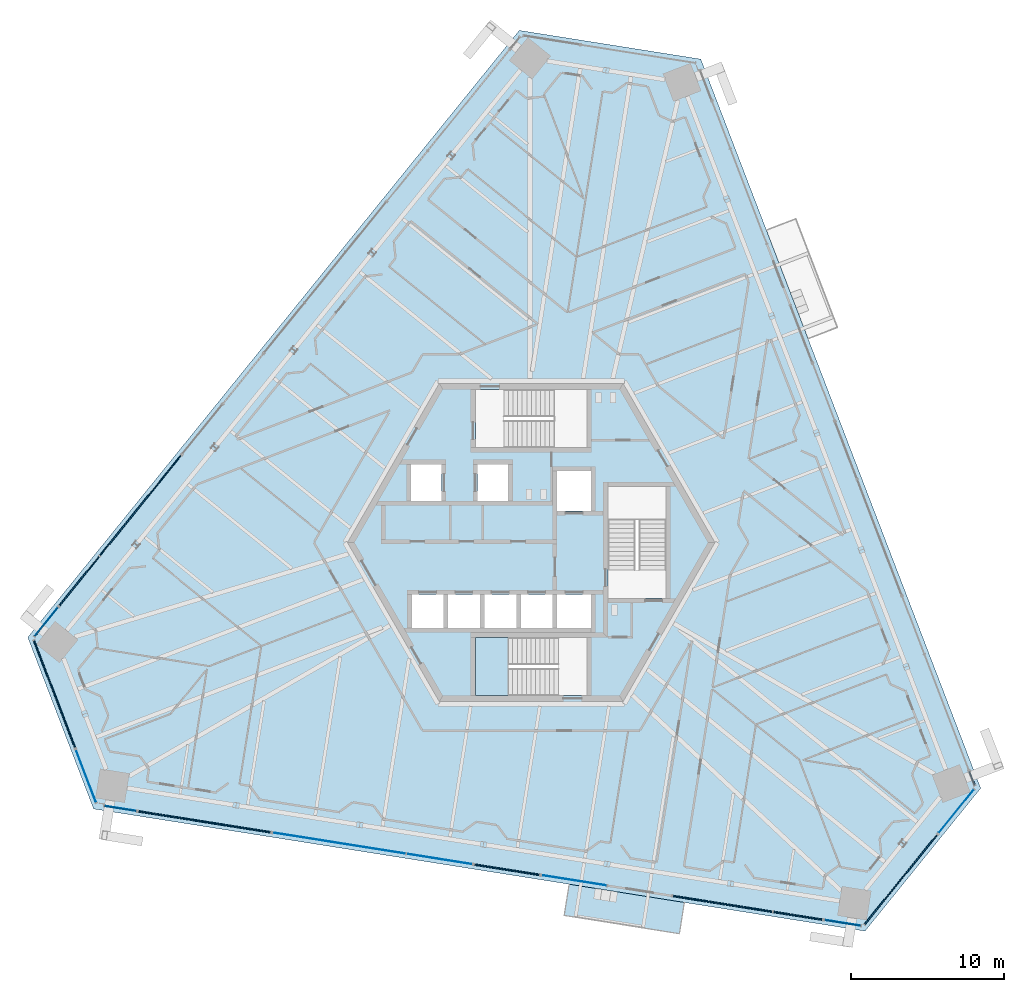
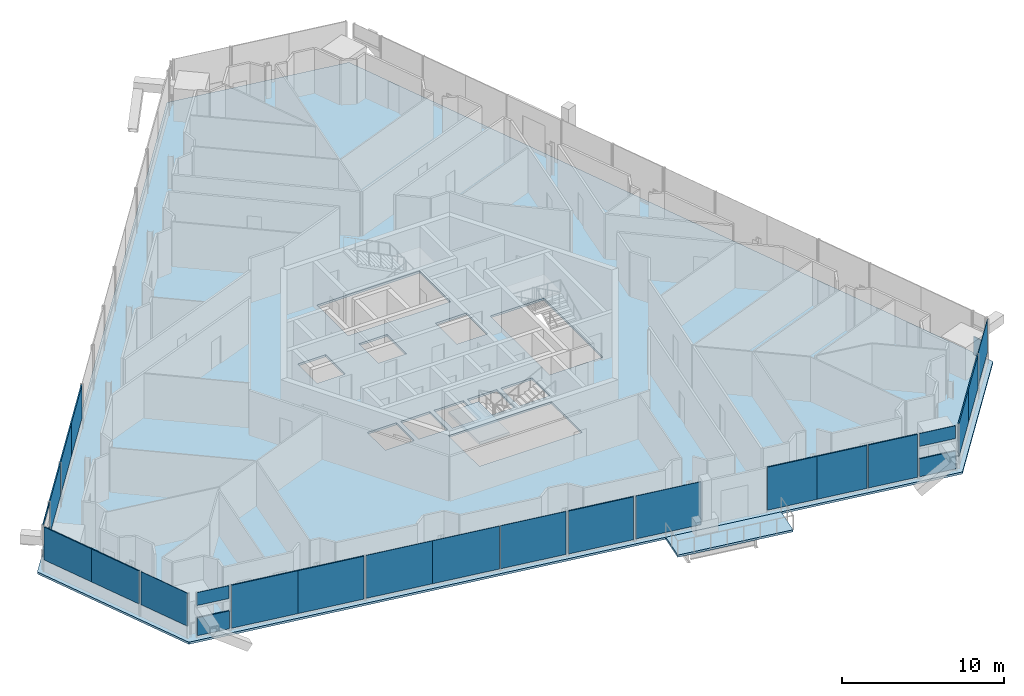
# One storey, part 10 of 23: 26 plates, 3 slabs, 18 elements without a shape of their own.
"""IFC4 building model written with IfcOpenShell, lengths in metres."""

from ifc_helpers import new_model, si_unit, direction, frame, origin, origin_2d, place, context, subcontext, project, spatial, polyline, rectangle, outline, extrude, source, transform, mapped, material, layer, layer_set, type_object, element, aggregate, save


model = new_model("IFC4")

# Units and contexts
model_context = context("Model", 3, precision=1e-05, world=origin(), true_north=direction((0.0, 1.0)))
body_context = subcontext(model_context, "Body", "Model", "MODEL_VIEW")
ifc_project = project(units=[si_unit("LENGTHUNIT", "METRE"), si_unit("AREAUNIT", "SQUARE_METRE"), si_unit("VOLUMEUNIT", "CUBIC_METRE"), si_unit("PLANEANGLEUNIT", "RADIAN"), si_unit("MASSUNIT", "GRAM", prefix="KILO")], contexts=[model_context])

# Site, building, storey
site_placement = place(None, origin())
site = spatial("IfcSite", under=ifc_project, at=site_placement, CompositionType="ELEMENT")
building_placement = place(site_placement, origin())
building = spatial("IfcBuilding", under=site, at=building_placement, Name="Triune Harvest Tower", CompositionType="ELEMENT")
storey_placement = place(building_placement, frame((0.0, 0.0, 171.300048828125)))
storey = spatial("IfcBuildingStorey", under=building, at=storey_placement, Name="L44", CompositionType="ELEMENT", Elevation=171.300048828125)

# Slab
ifc_material_1 = material(Name="Concrete 40 MPa", Category="concrete")
ifc_layer_1 = layer(ifc_material_1, 0.159912109375)
ifc_layer_set_1 = layer_set([ifc_layer_1], Name="Concrete 40 MPa")
slab_type_1 = type_object("IfcSlabType", Name="BA-1 balcony slab 160", PredefinedType="FLOOR", material=ifc_layer_set_1)
slab_1_placement = place(storey_placement, frame((0.0, 0.0, -0.16015625)))
element("IfcSlab", 1, at=slab_1_placement, inside=storey, type_object=slab_type_1, Name="Balcony slab B4-F5 L44.9", PredefinedType="FLOOR", context=body_context, shape_type="SweptSolid", body=[
    extrude(outline(polyline([(2.478515625, -22.31298828125), (9.9990234375, -23.504150390625), (9.676513671875, -25.540283203125), (2.15625, -24.34912109375), (2.478515625, -22.31298828125)])), origin(), (0.0, 0.0, 1.0), 0.16015625),
])

# Curtain wall, plate
ifc_material_2 = material(Name="Aluminium bronze anodised", Category="aluminium")
curtain_wall_type_1 = type_object("IfcCurtainWallType", Name="CW-1 Tower stick curtain wall", PredefinedType="NOTDEFINED", material=ifc_material_2)
curtain_wall_1_placement = place(storey_placement, origin())
curtain_wall_1 = element("IfcCurtainWall", 2, at=curtain_wall_1_placement, inside=storey, type_object=curtain_wall_type_1, Name="CW-1 B4-F3 L44 run 401")
ifc_material_3 = material(Name="Glass", Category="glass")
ifc_layer_2 = layer(ifc_material_3, 0.031982421875)
ifc_layer_set_2 = layer_set([ifc_layer_2], Name="Glass")
plate_type_1 = type_object("IfcPlateType", Name="GL-1 panel 32", PredefinedType="CURTAIN_PANEL", material=ifc_layer_set_2)
plate_1_placement = place(storey_placement, frame((-31.669189453125, -5.181640625, 3.15966796875), z_axis=(0.0, 0.0, 1.0), x_axis=(-0.629324082026, -0.777142972549, 0.0)))
plate_1 = element("IfcPlate", 3, at=plate_1_placement, type_object=plate_type_1, Name="CW-1 panel B4-F3 401.1", PredefinedType="CURTAIN_PANEL", context=body_context, shape_type="SweptSolid", body=[
    extrude(rectangle(XDim=2.409912109375, YDim=0.031982421875, at=origin_2d()), origin(), (0.0, 0.0, 1.0), 0.215087890625),
])
aggregate(curtain_wall_1, [plate_1])

ifc_material_4 = material(Name="Aluminium bronze anodised", Category="aluminium")
curtain_wall_type_2 = type_object("IfcCurtainWallType", Name="CW-6 Balcony window wall", PredefinedType="NOTDEFINED", material=ifc_material_4)
curtain_wall_2_placement = place(storey_placement, origin())
curtain_wall_2 = element("IfcCurtainWall", 4, at=curtain_wall_2_placement, inside=storey, type_object=curtain_wall_type_2, Name="CW-6 B4-F5 L44 run 101")
ifc_material_5 = material(Name="Glass", Category="glass")
ifc_layer_3 = layer(ifc_material_5, 0.030029296875)
ifc_layer_set_3 = layer_set([ifc_layer_3], Name="Glass")
plate_type_2 = type_object("IfcPlateType", Name="GL-6 panel 30", PredefinedType="CURTAIN_PANEL", material=ifc_layer_set_3)
plate_2_placement = place(storey_placement, frame((-26.83154296875, -17.366943359375, 2.40966796875), z_axis=(0.0, 0.0, 1.0), x_axis=(0.987690820159, -0.156418808887, 0.0)))
plate_2 = element("IfcPlate", 5, at=plate_2_placement, type_object=plate_type_2, Name="CW-6 panel B4-F5 101.1", PredefinedType="CURTAIN_PANEL", context=body_context, shape_type="SweptSolid", body=[
    extrude(rectangle(XDim=2.10107421875, YDim=0.030029296875, at=origin_2d()), origin(), (0.0, 0.0, 1.0), 0.965087890625),
])
aggregate(curtain_wall_2, [plate_2])

# Curtain wall, plates
curtain_wall_3_placement = place(storey_placement, origin())
curtain_wall_3 = element("IfcCurtainWall", 6, at=curtain_wall_3_placement, inside=storey, type_object=curtain_wall_type_2, Name="CW-6 B4-F5 L44 run 1201")
plate_3_placement = place(storey_placement, frame((-14.712158203125, -19.28662109375, 0.14990234375), z_axis=(0.0, 0.0, 1.0), x_axis=(0.987687358955, -0.156440662747, 0.0)))
plate_3 = element("IfcPlate", 7, at=plate_3_placement, type_object=plate_type_2, Name="CW-6 panel B4-F5 1201.1", PredefinedType="CURTAIN_PANEL", context=body_context, shape_type="SweptSolid", body=[
    extrude(rectangle(XDim=4.367919921875, YDim=0.030029296875, at=origin_2d()), origin(), (0.0, 0.0, 1.0), 3.22509765625),
])
plate_4_placement = place(storey_placement, frame((-10.37939453125, -19.972900390625, 0.14990234375), z_axis=(0.0, 0.0, 1.0), x_axis=(0.987687358955, -0.156440662747, 0.0)))
plate_4 = element("IfcPlate", 8, at=plate_4_placement, type_object=plate_type_2, Name="CW-6 panel B4-F5 1201.2", PredefinedType="CURTAIN_PANEL", context=body_context, shape_type="SweptSolid", body=[
    extrude(rectangle(XDim=4.405517578125, YDim=0.030029296875, at=origin_2d()), origin(), (0.0, 0.0, 1.0), 3.22509765625),
])
plate_5_placement = place(storey_placement, frame((-5.990966796875, -20.66796875, 0.14990234375), z_axis=(0.0, 0.0, 1.0), x_axis=(0.987687358955, -0.156440662747, 0.0)))
plate_5 = element("IfcPlate", 9, at=plate_5_placement, type_object=plate_type_2, Name="CW-6 panel B4-F5 1201.3", PredefinedType="CURTAIN_PANEL", context=body_context, shape_type="SweptSolid", body=[
    extrude(rectangle(XDim=4.33056640625, YDim=0.030029296875, at=origin_2d()), origin(), (0.0, 0.0, 1.0), 3.22509765625),
])
aggregate(curtain_wall_3, [plate_3, plate_4, plate_5])

# Curtain wall, plate
curtain_wall_4_placement = place(storey_placement, origin())
curtain_wall_4 = element("IfcCurtainWall", 10, at=curtain_wall_4_placement, inside=storey, type_object=curtain_wall_type_2, Name="CW-6 B4-F5 L44 run 3201")
plate_6_placement = place(storey_placement, frame((2.80419921875, -22.06103515625, 0.14990234375), z_axis=(0.0, 0.0, 1.0), x_axis=(0.987686199696, -0.156447981545, 0.0)))
plate_6 = element("IfcPlate", 11, at=plate_6_placement, type_object=plate_type_2, Name="CW-6 panel B4-F5 3201.1", PredefinedType="CURTAIN_PANEL", context=body_context, shape_type="SweptSolid", body=[
    extrude(rectangle(XDim=4.29296875, YDim=0.030029296875, at=origin_2d()), origin(), (0.0, 0.0, 1.0), 3.22509765625),
])
aggregate(curtain_wall_4, [plate_6])

curtain_wall_5_placement = place(storey_placement, origin())
curtain_wall_5 = element("IfcCurtainWall", 12, at=curtain_wall_5_placement, inside=storey, type_object=curtain_wall_type_2, Name="CW-6 B4-F5 L44 run 202")
plate_7_placement = place(storey_placement, frame((20.3359375, -24.837646484375, 2.40966796875), z_axis=(0.0, 0.0, 1.0), x_axis=(0.98768789976, -0.156437248337, 0.0)))
plate_7 = element("IfcPlate", 13, at=plate_7_placement, type_object=plate_type_2, Name="CW-6 panel B4-F5 202.1", PredefinedType="CURTAIN_PANEL", context=body_context, shape_type="SweptSolid", body=[
    extrude(rectangle(XDim=2.38134765625, YDim=0.030029296875, at=origin_2d()), origin(), (0.0, 0.0, 1.0), 0.965087890625),
])
aggregate(curtain_wall_5, [plate_7])

ifc_material_6 = material(Name="Aluminium bronze anodised", Category="aluminium")
curtain_wall_type_3 = type_object("IfcCurtainWallType", Name="CW-10 Balcony window wall with insulated spandrel infill", PredefinedType="NOTDEFINED", material=ifc_material_6)
curtain_wall_6_placement = place(storey_placement, origin())
curtain_wall_6 = element("IfcCurtainWall", 14, at=curtain_wall_6_placement, inside=storey, type_object=curtain_wall_type_3, Name="CW-10 B4-F1 L44 run 1")
ifc_material_7 = material(Name="Insulated spandrel panel, bronze aluminium pan", Category="aluminium")
ifc_layer_4 = layer(ifc_material_7, 0.080078125)
ifc_layer_set_4 = layer_set([ifc_layer_4], Name="Insulated spandrel panel, bronze aluminium pan")
plate_type_3 = type_object("IfcPlateType", Name="SP-1 insulated spandrel panel 80", PredefinedType="CURTAIN_PANEL", material=ifc_layer_set_4)
plate_8_placement = place(storey_placement, frame((28.780029296875, -15.397216796875, 0.14990234375), z_axis=(0.0, 0.0, 1.0), x_axis=(-0.358306943376, 0.933603842285, 0.0)))
plate_8 = element("IfcPlate", 15, at=plate_8_placement, type_object=plate_type_3, Name="CW-10 panel B4-F1 1.1", PredefinedType="CURTAIN_PANEL", context=body_context, shape_type="SweptSolid", body=[
    extrude(rectangle(XDim=0.94677734375, YDim=0.080078125, at=origin_2d()), origin(), (0.0, 0.0, 1.0), 1.340087890625),
])
aggregate(curtain_wall_6, [plate_8])

ifc_material_8 = material(Name="Aluminium bronze anodised", Category="aluminium")
curtain_wall_type_4 = type_object("IfcCurtainWallType", Name="CW-7 Tower stick curtain wall with insulated spandrel infill", PredefinedType="NOTDEFINED", material=ifc_material_8)
curtain_wall_7_placement = place(storey_placement, origin())
curtain_wall_7 = element("IfcCurtainWall", 16, at=curtain_wall_7_placement, inside=storey, type_object=curtain_wall_type_4, Name="CW-7 B4-F3 L44 run 301")
plate_9_placement = place(storey_placement, frame((-31.669189453125, -5.181640625, 0.89990234375), z_axis=(0.0, 0.0, 1.0), x_axis=(-0.629324082026, -0.777142972549, 0.0)))
plate_9 = element("IfcPlate", 17, at=plate_9_placement, type_object=plate_type_3, Name="CW-7 panel B4-F3 301.1", PredefinedType="CURTAIN_PANEL", context=body_context, shape_type="SweptSolid", body=[
    extrude(rectangle(XDim=2.409912109375, YDim=0.080078125, at=origin_2d()), origin(), (0.0, 0.0, 1.0), 0.590087890625),
])
aggregate(curtain_wall_7, [plate_9])

curtain_wall_8_placement = place(storey_placement, origin())
curtain_wall_8 = element("IfcCurtainWall", 18, at=curtain_wall_8_placement, inside=storey, type_object=curtain_wall_type_3, Name="CW-10 B4-F5 L44 run 1")
plate_10_placement = place(storey_placement, frame((-26.83154296875, -17.366943359375, 0.14990234375), z_axis=(0.0, 0.0, 1.0), x_axis=(0.987690820159, -0.156418808887, 0.0)))
plate_10 = element("IfcPlate", 19, at=plate_10_placement, type_object=plate_type_3, Name="CW-10 panel B4-F5 1.1", PredefinedType="CURTAIN_PANEL", context=body_context, shape_type="SweptSolid", body=[
    extrude(rectangle(XDim=2.10107421875, YDim=0.080078125, at=origin_2d()), origin(), (0.0, 0.0, 1.0), 1.340087890625),
])
aggregate(curtain_wall_8, [plate_10])

curtain_wall_9_placement = place(storey_placement, origin())
curtain_wall_9 = element("IfcCurtainWall", 20, at=curtain_wall_9_placement, inside=storey, type_object=curtain_wall_type_3, Name="CW-10 B4-F5 L44 run 2201")
plate_11_placement = place(storey_placement, frame((-1.584228515625, -21.365966796875, 0.14990234375), z_axis=(0.0, 0.0, 1.0), x_axis=(0.987690228037, -0.156422547734, 0.0)))
plate_11 = element("IfcPlate", 21, at=plate_11_placement, type_object=plate_type_3, Name="CW-10 panel B4-F5 2201.1", PredefinedType="CURTAIN_PANEL", context=body_context, shape_type="SweptSolid", body=[
    extrude(rectangle(XDim=4.293212890625, YDim=0.080078125, at=origin_2d()), origin(), (0.0, 0.0, 1.0), 3.22509765625),
])
aggregate(curtain_wall_9, [plate_11])

curtain_wall_10_placement = place(storey_placement, origin())
curtain_wall_10 = element("IfcCurtainWall", 22, at=curtain_wall_10_placement, inside=storey, type_object=curtain_wall_type_3, Name="CW-10 B4-F5 L44 run 102")
plate_12_placement = place(storey_placement, frame((20.3359375, -24.837646484375, 0.14990234375), z_axis=(0.0, 0.0, 1.0), x_axis=(0.98768789976, -0.156437248337, 0.0)))
plate_12 = element("IfcPlate", 23, at=plate_12_placement, type_object=plate_type_3, Name="CW-10 panel B4-F5 102.1", PredefinedType="CURTAIN_PANEL", context=body_context, shape_type="SweptSolid", body=[
    extrude(rectangle(XDim=2.38134765625, YDim=0.080078125, at=origin_2d()), origin(), (0.0, 0.0, 1.0), 1.340087890625),
])
aggregate(curtain_wall_10, [plate_12])

# Slab
ifc_material_9 = material(Name="Concrete 40 MPa", Category="concrete")
ifc_layer_5 = layer(ifc_material_9, 0.159912109375)
ifc_layer_set_5 = layer_set([ifc_layer_5], Name="Concrete 40 MPa")
slab_type_2 = type_object("IfcSlabType", Name="SL-1 Composite floor slab 160", PredefinedType="FLOOR", material=ifc_layer_set_5)
shared_shape_1 = source(origin(), body_context, "Body", "SweptSolid", [
    extrude(outline(polyline([(29.35107421875, -16.04736328125), (11.07421875, 31.565185546875), (-0.778076171875, 33.4423828125), (-32.873291015625, -6.19189453125), (-28.572998046875, -17.39501953125), (21.799072265625, -25.373291015625), (29.35107421875, -16.04736328125)]), holes=[polyline([(-5.72509765625, -5.590087890625), (-5.72509765625, -3.389892578125), (-7.800048828125, -3.389892578125), (-7.800048828125, -5.590087890625), (-5.72509765625, -5.590087890625)]), polyline([(-3.35009765625, -5.590087890625), (-3.35009765625, -3.389892578125), (-5.425048828125, -3.389892578125), (-5.425048828125, -5.590087890625), (-3.35009765625, -5.590087890625)]), polyline([(-0.97509765625, -5.590087890625), (-0.97509765625, -3.389892578125), (-3.050048828125, -3.389892578125), (-3.050048828125, -5.590087890625), (-0.97509765625, -5.590087890625)]), polyline([(1.39990234375, -5.590087890625), (1.39990234375, -3.389892578125), (-0.675048828125, -3.389892578125), (-0.675048828125, -5.590087890625), (1.39990234375, -5.590087890625)]), polyline([(3.89990234375, 2.06005859375), (3.89990234375, 4.659912109375), (1.699951171875, 4.659912109375), (1.699951171875, 2.06005859375), (3.89990234375, 2.06005859375)]), polyline([(3.89990234375, -5.590087890625), (3.89990234375, -3.389892578125), (1.699951171875, -3.389892578125), (1.699951171875, -5.590087890625), (3.89990234375, -5.590087890625)]), polyline([(-5.85009765625, 2.7099609375), (-5.85009765625, 5.110107421875), (-7.85009765625, 5.110107421875), (-7.85009765625, 2.7099609375), (-5.85009765625, 2.7099609375)]), polyline([(-1.5, 2.7099609375), (-1.5, 5.110107421875), (-3.5, 5.110107421875), (-3.5, 2.7099609375), (-1.5, 2.7099609375)]), polyline([(3.64990234375, 6.18994140625), (3.64990234375, 9.989990234375), (-3.64990234375, 9.989990234375), (-3.64990234375, 6.18994140625), (3.64990234375, 6.18994140625)]), polyline([(3.64990234375, -9.989990234375), (3.64990234375, -6.18994140625), (-3.64990234375, -6.18994140625), (-3.64990234375, -9.989990234375), (3.64990234375, -9.989990234375)]), polyline([(8.800048828125, -3.64990234375), (8.800048828125, 3.64990234375), (5.0, 3.64990234375), (5.0, -3.64990234375), (8.800048828125, -3.64990234375)])]), origin(), (0.0, 0.0, 1.0), 0.16015625),
])
slab_2_placement = place(storey_placement, frame((0.0, 0.0, -0.16015625)))
element("IfcSlab", 24, at=slab_2_placement, inside=storey, type_object=slab_type_2, Name="slab/L44/1", PredefinedType="FLOOR", context=body_context, shape_type="MappedRepresentation", body=[
    mapped(shared_shape_1, transform((0.0, 0.0, 0.0), scale=1.0)),
])

# Stair, slab
ifc_material_10 = material(Name="Concrete 40 MPa", Category="concrete")
stair_type = type_object("IfcStairType", Name="Exit stair 1800 half turn", PredefinedType="HALF_TURN_STAIR", material=ifc_material_10)
stair_placement = place(storey_placement, origin())
stair = element("IfcStair", 25, at=stair_placement, inside=storey, type_object=stair_type, Name="Exit stair south", PredefinedType="HALF_TURN_STAIR")
ifc_material_11 = material(Name="Concrete 40 MPa", Category="concrete")
ifc_layer_6 = layer(ifc_material_11, 0.199951171875)
ifc_layer_set_6 = layer_set([ifc_layer_6], Name="Concrete 40 MPa")
slab_type_3 = type_object("IfcSlabType", Name="Stair landing 200", PredefinedType="LANDING", material=ifc_layer_set_6)
shared_shape_2 = source(origin(), body_context, "Body", "SweptSolid", [
    extrude(outline(polyline([(-1.510009765625, -6.18994140625), (-3.64990234375, -6.18994140625), (-3.64990234375, -9.989990234375), (-1.510009765625, -9.989990234375), (-1.510009765625, -6.18994140625)])), origin(), (0.0, 0.0, 1.0), 0.199951171875),
])
slab_3_placement = place(storey_placement, frame((0.0, 0.0, 1.612548828125)))
slab_3 = element("IfcSlab", 26, at=slab_3_placement, type_object=slab_type_3, Name="ST-2 landing 2", PredefinedType="LANDING", context=body_context, shape_type="MappedRepresentation", body=[
    mapped(shared_shape_2, transform((0.0, 0.0, 0.0), scale=1.0)),
])
aggregate(stair, [slab_3])

# Curtain wall, plates
curtain_wall_11_placement = place(storey_placement, origin())
curtain_wall_11 = element("IfcCurtainWall", 27, at=curtain_wall_11_placement, inside=storey, type_object=curtain_wall_type_3, Name="CW-10 B4-F5 L44 run 2")
shared_shape_3 = source(origin(), body_context, "Body", "SweptSolid", [
    extrude(rectangle(XDim=3.2724609375, YDim=0.080078125, at=origin_2d()), origin(), (0.0, 0.0, 1.0), 3.22509765625),
])
plate_13_placement = place(storey_placement, frame((10.857666015625, -23.33642578125, 0.14990234375), z_axis=(0.0, 0.0, 1.0), x_axis=(0.987688651902, -0.156432499516, 0.0)))
plate_13 = element("IfcPlate", 28, at=plate_13_placement, type_object=plate_type_3, Name="CW-10 panel B4-F5 2.1", PredefinedType="CURTAIN_PANEL", context=body_context, shape_type="MappedRepresentation", body=[
    mapped(shared_shape_3, transform((0.0, 0.0, 0.0), scale=1.0)),
])
shared_shape_4 = source(origin(), body_context, "Body", "SweptSolid", [
    extrude(rectangle(XDim=3.309814453125, YDim=0.080078125, at=origin_2d()), origin(), (0.0, 0.0, 1.0), 3.22509765625),
])
plate_14_placement = place(storey_placement, frame((14.108154296875, -23.851318359375, 0.14990234375), z_axis=(0.0, 0.0, 1.0), x_axis=(0.987688651902, -0.156432499516, 0.0)))
plate_14 = element("IfcPlate", 29, at=plate_14_placement, type_object=plate_type_3, Name="CW-10 panel B4-F5 2.2", PredefinedType="CURTAIN_PANEL", context=body_context, shape_type="MappedRepresentation", body=[
    mapped(shared_shape_4, transform((0.0, 0.0, 0.0), scale=1.0)),
])
shared_shape_5 = source(origin(), body_context, "Body", "SweptSolid", [
    extrude(rectangle(XDim=3.23486328125, YDim=0.080078125, at=origin_2d()), origin(), (0.0, 0.0, 1.0), 3.22509765625),
])
plate_15_placement = place(storey_placement, frame((17.414306640625, -24.375, 0.14990234375), z_axis=(0.0, 0.0, 1.0), x_axis=(0.987688651902, -0.156432499516, 0.0)))
plate_15 = element("IfcPlate", 30, at=plate_15_placement, type_object=plate_type_3, Name="CW-10 panel B4-F5 2.3", PredefinedType="CURTAIN_PANEL", context=body_context, shape_type="MappedRepresentation", body=[
    mapped(shared_shape_5, transform((0.0, 0.0, 0.0), scale=1.0)),
])
aggregate(curtain_wall_11, [plate_13, plate_14, plate_15])

curtain_wall_12_placement = place(storey_placement, origin())
curtain_wall_12 = element("IfcCurtainWall", 31, at=curtain_wall_12_placement, inside=storey, type_object=curtain_wall_type_4, Name="CW-7 B4-F4 L44 run 1")
shared_shape_6 = source(origin(), body_context, "Body", "SweptSolid", [
    extrude(rectangle(XDim=3.74951171875, YDim=0.080078125, at=origin_2d()), origin(), (0.0, 0.0, 1.0), 2.47509765625),
])
plate_16_placement = place(storey_placement, frame((-31.80029296875, -8.150390625, 0.89990234375), z_axis=(0.0, 0.0, 1.0), x_axis=(0.35836155285, -0.933582881933, 0.0)))
plate_16 = element("IfcPlate", 32, at=plate_16_placement, type_object=plate_type_3, Name="CW-7 panel B4-F4 1.1", PredefinedType="CURTAIN_PANEL", context=body_context, shape_type="MappedRepresentation", body=[
    mapped(shared_shape_6, transform((0.0, 0.0, 0.0), scale=1.0)),
])
plate_17_placement = place(storey_placement, frame((-30.45654296875, -11.651123046875, 0.89990234375), z_axis=(0.0, 0.0, 1.0), x_axis=(0.35836155285, -0.933582881933, 0.0)))
plate_17 = element("IfcPlate", 33, at=plate_17_placement, type_object=plate_type_3, Name="CW-7 panel B4-F4 1.2", PredefinedType="CURTAIN_PANEL", context=body_context, shape_type="MappedRepresentation", body=[
    mapped(shared_shape_6, transform((0.0, 0.0, 0.0), scale=1.0)),
])
aggregate(curtain_wall_12, [plate_16, plate_17])

curtain_wall_13_placement = place(storey_placement, origin())
curtain_wall_13 = element("IfcCurtainWall", 34, at=curtain_wall_13_placement, inside=storey, type_object=curtain_wall_type_4, Name="CW-7 B4-F6 L44 run 1")
plate_18_placement = place(storey_placement, frame((22.958740234375, -23.464599609375, 0.89990234375), z_axis=(0.0, 0.0, 1.0), x_axis=(0.629323141464, 0.777143734208, 0.0)))
plate_18 = element("IfcPlate", 35, at=plate_18_placement, type_object=plate_type_3, Name="CW-7 panel B4-F6 1.1", PredefinedType="CURTAIN_PANEL", context=body_context, shape_type="MappedRepresentation", body=[
    mapped(shared_shape_6, transform((0.0, 0.0, 0.0), scale=1.0)),
])
plate_19_placement = place(storey_placement, frame((25.318359375, -20.550537109375, 0.89990234375), z_axis=(0.0, 0.0, 1.0), x_axis=(0.629323141464, 0.777143734208, 0.0)))
plate_19 = element("IfcPlate", 36, at=plate_19_placement, type_object=plate_type_3, Name="CW-7 panel B4-F6 1.2", PredefinedType="CURTAIN_PANEL", context=body_context, shape_type="MappedRepresentation", body=[
    mapped(shared_shape_6, transform((0.0, 0.0, 0.0), scale=1.0)),
])
aggregate(curtain_wall_13, [plate_18, plate_19])

# Curtain wall, plate
curtain_wall_14_placement = place(storey_placement, origin())
curtain_wall_14 = element("IfcCurtainWall", 37, at=curtain_wall_14_placement, inside=storey, type_object=curtain_wall_type_1, Name="CW-1 B4-F4 L44 run 1001")
shared_shape_7 = source(origin(), body_context, "Body", "SweptSolid", [
    extrude(rectangle(XDim=3.674560546875, YDim=0.031982421875, at=origin_2d()), origin(), (0.0, 0.0, 1.0), 2.47509765625),
])
plate_20_placement = place(storey_placement, frame((-29.072509765625, -15.256591796875, 0.89990234375), z_axis=(0.0, 0.0, 1.0), x_axis=(0.358383624878, -0.93357440915, 0.0)))
plate_20 = element("IfcPlate", 38, at=plate_20_placement, type_object=plate_type_1, Name="CW-1 panel B4-F4 1001.1", PredefinedType="CURTAIN_PANEL", context=body_context, shape_type="MappedRepresentation", body=[
    mapped(shared_shape_7, transform((0.0, 0.0, 0.0), scale=1.0)),
])
aggregate(curtain_wall_14, [plate_20])

curtain_wall_15_placement = place(storey_placement, origin())
curtain_wall_15 = element("IfcCurtainWall", 39, at=curtain_wall_15_placement, inside=storey, type_object=curtain_wall_type_1, Name="CW-1 B4-F6 L44 run 1001")
plate_21_placement = place(storey_placement, frame((27.748779296875, -17.54931640625, 0.89990234375), z_axis=(0.0, 0.0, 1.0), x_axis=(0.629316433314, 0.777149166352, 0.0)))
plate_21 = element("IfcPlate", 40, at=plate_21_placement, type_object=plate_type_1, Name="CW-1 panel B4-F6 1001.1", PredefinedType="CURTAIN_PANEL", context=body_context, shape_type="MappedRepresentation", body=[
    mapped(shared_shape_7, transform((0.0, 0.0, 0.0), scale=1.0)),
])
aggregate(curtain_wall_15, [plate_21])

# Curtain wall, plates
curtain_wall_16_placement = place(storey_placement, origin())
curtain_wall_16 = element("IfcCurtainWall", 41, at=curtain_wall_16_placement, inside=storey, type_object=curtain_wall_type_4, Name="CW-7 B4-F3 L44 run 4201")
shared_shape_8 = source(origin(), body_context, "Body", "SweptSolid", [
    extrude(rectangle(XDim=4.18115234375, YDim=0.080078125, at=origin_2d()), origin(), (0.0, 0.0, 1.0), 2.47509765625),
])
plate_22_placement = place(storey_placement, frame((-24.191162109375, 4.052978515625, 0.89990234375), z_axis=(0.0, 0.0, 1.0), x_axis=(-0.629319208303, -0.777146919225, 0.0)))
plate_22 = element("IfcPlate", 42, at=plate_22_placement, type_object=plate_type_3, Name="CW-7 panel B4-F3 4201.1", PredefinedType="CURTAIN_PANEL", context=body_context, shape_type="MappedRepresentation", body=[
    mapped(shared_shape_8, transform((0.0, 0.0, 0.0), scale=1.0)),
])
shared_shape_9 = source(origin(), body_context, "Body", "SweptSolid", [
    extrude(rectangle(XDim=4.218505859375, YDim=0.080078125, at=origin_2d()), origin(), (0.0, 0.0, 1.0), 2.47509765625),
])
plate_23_placement = place(storey_placement, frame((-26.834228515625, 0.7890625, 0.89990234375), z_axis=(0.0, 0.0, 1.0), x_axis=(-0.629319208303, -0.777146919225, 0.0)))
plate_23 = element("IfcPlate", 43, at=plate_23_placement, type_object=plate_type_3, Name="CW-7 panel B4-F3 4201.2", PredefinedType="CURTAIN_PANEL", context=body_context, shape_type="MappedRepresentation", body=[
    mapped(shared_shape_9, transform((0.0, 0.0, 0.0), scale=1.0)),
])
shared_shape_10 = source(origin(), body_context, "Body", "SweptSolid", [
    extrude(rectangle(XDim=4.1435546875, YDim=0.080078125, at=origin_2d()), origin(), (0.0, 0.0, 1.0), 2.47509765625),
])
plate_24_placement = place(storey_placement, frame((-29.5126953125, -2.5185546875, 0.89990234375), z_axis=(0.0, 0.0, 1.0), x_axis=(-0.629319208303, -0.777146919225, 0.0)))
plate_24 = element("IfcPlate", 44, at=plate_24_placement, type_object=plate_type_3, Name="CW-7 panel B4-F3 4201.3", PredefinedType="CURTAIN_PANEL", context=body_context, shape_type="MappedRepresentation", body=[
    mapped(shared_shape_10, transform((0.0, 0.0, 0.0), scale=1.0)),
])
aggregate(curtain_wall_16, [plate_22, plate_23, plate_24])

curtain_wall_17_placement = place(storey_placement, origin())
curtain_wall_17 = element("IfcCurtainWall", 45, at=curtain_wall_17_placement, inside=storey, type_object=curtain_wall_type_3, Name="CW-10 B4-F5 L44 run 201")
shared_shape_11 = source(origin(), body_context, "Body", "SweptSolid", [
    extrude(rectangle(XDim=4.3681640625, YDim=0.080078125, at=origin_2d()), origin(), (0.0, 0.0, 1.0), 3.22509765625),
])
plate_25_placement = place(storey_placement, frame((-23.48876953125, -17.896484375, 0.14990234375), z_axis=(0.0, 0.0, 1.0), x_axis=(0.987688213966, -0.156435264541, 0.0)))
plate_25 = element("IfcPlate", 46, at=plate_25_placement, type_object=plate_type_3, Name="CW-10 panel B4-F5 201.1", PredefinedType="CURTAIN_PANEL", context=body_context, shape_type="MappedRepresentation", body=[
    mapped(shared_shape_11, transform((0.0, 0.0, 0.0), scale=1.0)),
])
plate_26_placement = place(storey_placement, frame((-19.174560546875, -18.579833984375, 0.14990234375), z_axis=(0.0, 0.0, 1.0), x_axis=(0.987688213966, -0.156435264541, 0.0)))
plate_26 = element("IfcPlate", 47, at=plate_26_placement, type_object=plate_type_3, Name="CW-10 panel B4-F5 201.2", PredefinedType="CURTAIN_PANEL", context=body_context, shape_type="MappedRepresentation", body=[
    mapped(shared_shape_11, transform((0.0, 0.0, 0.0), scale=1.0)),
])
aggregate(curtain_wall_17, [plate_25, plate_26])

save(model, "model.ifc")
